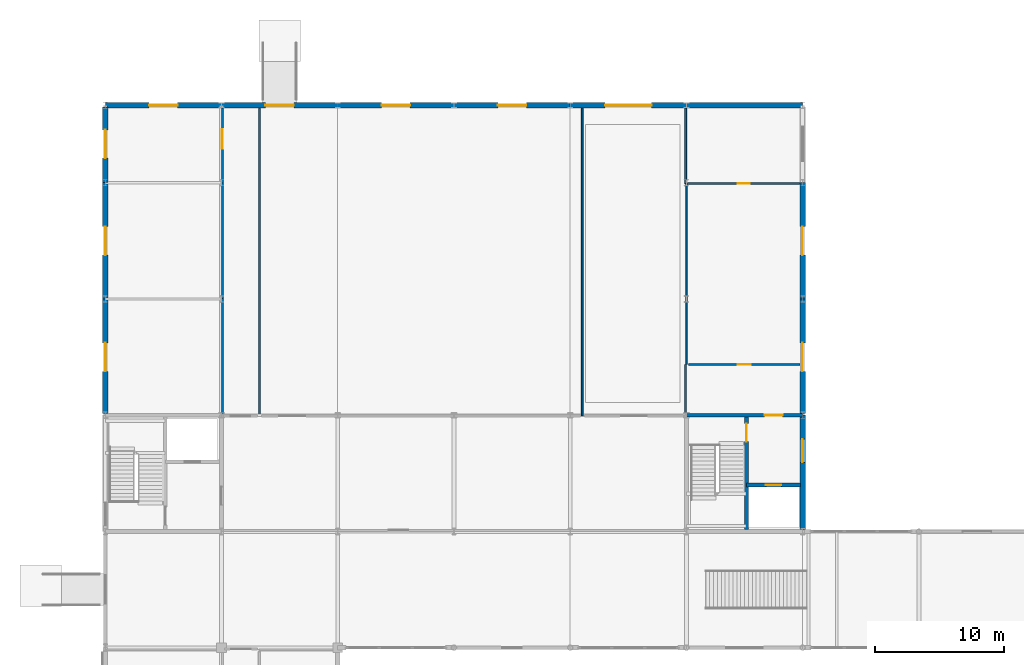
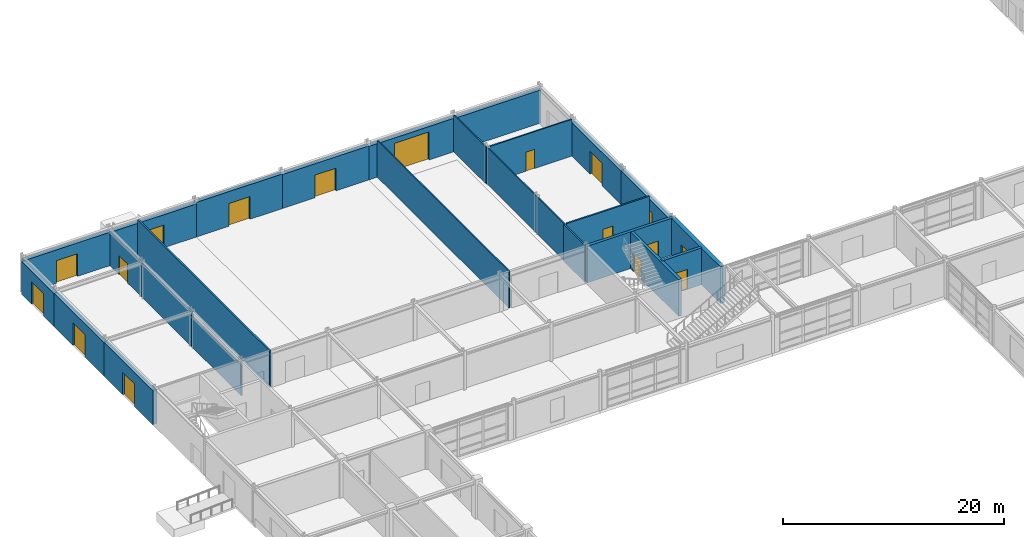
# One storey, part 62 of 72: 25 walls, 17 doors, 17 openings.
"""IFC4 building model written with IfcOpenShell, lengths in metres."""

import ifcopenshell
import ifcopenshell.guid

model = None  # the IFC model being written
_history = None  # IfcOwnerHistory: only IFC2X3 demands one
_inside = {}  # id of a spatial element -> (the spatial element, [elements in it])
_under = {}  # id of a project, library or spatial element -> (it, [spatial elements below it])
_declared = {}  # id of a project -> (the project, [libraries it declares])
_typed = {}  # id of a type object -> (the type object, [elements of that type])
_made_of = {}  # id of a material, layer set ... -> (it, [elements and type objects made of it])


def new_model(schema):
    """Start an empty IFC model of exactly this schema.

    Asked for "IFC4X3", IfcOpenShell would pick the latest addendum, in which some entities
    have other attributes; the version numbers below select the first issue.
    IFC2X3 requires an IfcOwnerHistory on every rooted entity: one is made here for all.
    """
    global model, _history
    if schema == "IFC4X3":
        model = ifcopenshell.file(schema_version=(4, 3, 0, 0))
    else:
        model = ifcopenshell.file(schema=schema)
    _inside.clear()
    _under.clear()
    _declared.clear()
    _typed.clear()
    _made_of.clear()
    _history = None
    if model.schema == "IFC2X3":
        org = make("IfcOrganization", Name="unknown")
        user = make(
            "IfcPersonAndOrganization",
            ThePerson=make("IfcPerson", FamilyName="unknown"),
            TheOrganization=org,
        )
        app = make(
            "IfcApplication",
            ApplicationDeveloper=org,
            Version="unknown",
            ApplicationFullName="unknown",
            ApplicationIdentifier="unknown",
        )
        _history = make(
            "IfcOwnerHistory",
            OwningUser=user,
            OwningApplication=app,
            ChangeAction="ADDED",
            CreationDate=0,
        )
    return model


def make(cls, **values):
    """One entity of the class cls with the attributes given. An attribute that is None is left unset."""
    return model.create_entity(
        cls, **{name: value for name, value in values.items() if value is not None}
    )


def rooted(cls, **values):
    """An entity with a GlobalId (a new one), such as an element, a storey or a relation."""
    return make(cls, GlobalId=ifcopenshell.guid.new(), OwnerHistory=_history, **values)


def si_unit(unit_type, name, prefix=None):
    """IfcSIUnit, for example si_unit("LENGTHUNIT", "METRE", prefix="MILLI")."""
    return make("IfcSIUnit", UnitType=unit_type, Prefix=prefix, Name=name)


def assignment(units):
    """IfcUnitAssignment: the units of a project."""
    return None if units is None else make("IfcUnitAssignment", Units=units)


def point(xyz):
    """IfcCartesianPoint."""
    return None if xyz is None else make("IfcCartesianPoint", Coordinates=xyz)


def direction(xyz):
    """IfcDirection."""
    return None if xyz is None else make("IfcDirection", DirectionRatios=xyz)


def frame(location, z_axis=None, x_axis=None):
    """IfcAxis2Placement3D, a coordinate frame: its origin and axes. An axis left out is left unset."""
    return make(
        "IfcAxis2Placement3D",
        Location=point(location),
        Axis=direction(z_axis),
        RefDirection=direction(x_axis),
    )


def frame_2d(location, x_axis=None):
    """IfcAxis2Placement2D, a coordinate frame in the plane: its origin and x axis."""
    return make(
        "IfcAxis2Placement2D", Location=point(location), RefDirection=direction(x_axis)
    )


def origin():
    """The frame at (0, 0, 0) with its axes left unset."""
    return frame((0.0, 0.0, 0.0))


def place(relative_to, where):
    """IfcLocalPlacement: puts the frame where relative to a parent placement (None: the world)."""
    return make(
        "IfcLocalPlacement", PlacementRelTo=relative_to, RelativePlacement=where
    )


def context(
    kind, dimensions, precision=None, world=None, true_north=None, identifier=None
):
    """IfcGeometricRepresentationContext, for example the 3D "Model" context."""
    return make(
        "IfcGeometricRepresentationContext",
        ContextIdentifier=identifier,
        ContextType=kind,
        CoordinateSpaceDimension=dimensions,
        Precision=precision,
        WorldCoordinateSystem=world,
        TrueNorth=true_north,
    )


def subcontext(parent, identifier, kind, view, scale=None):
    """IfcGeometricRepresentationSubContext, for example "Body" below "Model"."""
    return make(
        "IfcGeometricRepresentationSubContext",
        ContextIdentifier=identifier,
        ContextType=kind,
        ParentContext=parent,
        TargetScale=scale,
        TargetView=view,
    )


def project(units=None, contexts=None):
    """IfcProject with its units and contexts."""
    return rooted(
        "IfcProject",
        Name="project",
        RepresentationContexts=contexts,
        UnitsInContext=assignment(units),
    )


def spatial(cls, under=None, at=None, **own):
    """A site, building, storey or space (cls), placed at a placement, below another one or the project."""
    s = rooted(cls, ObjectPlacement=at, **own)
    if under is not None:
        _under.setdefault(under.id(), (under, []))[1].append(s)
    return s


def profile(cls, at=None, kind="AREA", **sizes):
    """A parametric profile (cls). Its sizes go by their IFC names, for example OverallWidth=200.0."""
    return make(cls, ProfileType=kind, Position=at, **sizes)


def rectangle(**sizes):
    """IfcRectangleProfileDef."""
    return profile("IfcRectangleProfileDef", **sizes)


def extrude(swept, where, along, depth):
    """IfcExtrudedAreaSolid: the profile swept, set in the frame where, extruded along a direction by depth."""
    return make(
        "IfcExtrudedAreaSolid",
        SweptArea=swept,
        Position=where,
        ExtrudedDirection=direction(along),
        Depth=depth,
    )


def shape(context_of_items, identifier, shape_type, items):
    """IfcShapeRepresentation: the items that make up one representation, for example the "Body"."""
    return make(
        "IfcShapeRepresentation",
        ContextOfItems=context_of_items,
        RepresentationIdentifier=identifier,
        RepresentationType=shape_type,
        Items=items,
    )


def material(Name=None, Category=None):
    """IfcMaterial."""
    return make("IfcMaterial", Name=Name, Category=Category)


def layer(
    of_material, thickness, ventilated=None, Name=None, Category=None, Priority=None
):
    """IfcMaterialLayer: one layer of a wall or slab, of a material (None: an air gap)."""
    return make(
        "IfcMaterialLayer",
        Material=of_material,
        LayerThickness=thickness,
        IsVentilated=ventilated,
        Name=Name,
        Category=Category,
        Priority=Priority,
    )


def layer_set(layers, Name=None):
    """IfcMaterialLayerSet."""
    return make("IfcMaterialLayerSet", MaterialLayers=layers, LayerSetName=Name)


def made_of(thing, what):
    """Note that an element or type object is made of a material, layer set ...; save() writes the relation."""
    if what is not None:
        _made_of.setdefault(what.id(), (what, []))[1].append(thing)
    return thing


def type_object(cls, material=None, **own):
    """A type object (cls), such as IfcWallType, which elements share."""
    return made_of(rooted(cls, **own), material)


def element(
    cls,
    number,
    at=None,
    inside=None,
    cuts=None,
    type_object=None,
    material=None,
    context=None,
    identifier="Body",
    shape_type=None,
    held_by="IfcProductDefinitionShape",
    body=None,
    shapes=None,
    **own,
):
    """One element of the class cls, such as IfcWall. Its Tag is "e" and its number.

    at: its placement. inside: the storey or other place that contains it. cuts: it is an
    opening in that element (IfcRelVoidsElement). A single representation is given by context,
    identifier, shape_type and body (its items); several are given by shapes. held_by: the class
    of the entity that holds the representations. save() writes the other relations.
    """
    e = rooted(cls, Tag="e%d" % number, ObjectPlacement=at, **own)
    if body is not None:
        shapes = [shape(context, identifier, shape_type, body)]
    if shapes is not None:
        e.Representation = make(held_by, Representations=shapes)
    if inside is not None:
        _inside.setdefault(inside.id(), (inside, []))[1].append(e)
    if cuts is not None:
        rooted(
            "IfcRelVoidsElement", RelatingBuildingElement=cuts, RelatedOpeningElement=e
        )
    if type_object is not None:
        _typed.setdefault(type_object.id(), (type_object, []))[1].append(e)
    return made_of(e, material)


def fill(opening, filler):
    """IfcRelFillsElement: the door or window that sits in an opening."""
    return rooted(
        "IfcRelFillsElement",
        RelatingOpeningElement=opening,
        RelatedBuildingElement=filler,
    )


def aggregate(whole, parts):
    """IfcRelAggregates: a whole, such as a stair, and the parts it consists of."""
    return rooted("IfcRelAggregates", RelatingObject=whole, RelatedObjects=parts)


def save(model, path):
    """Write the relations noted so far, then the file.

    IfcRelAggregates (storeys below a building ...), IfcRelContainedInSpatialStructure (elements
    in a storey), IfcRelDefinesByType, IfcRelAssociatesMaterial and IfcRelDeclares: one each for
    every whole, place, type object, material and project.
    """
    for whole, parts in _under.values():
        aggregate(whole, parts)
    for where, things in _inside.values():
        rooted(
            "IfcRelContainedInSpatialStructure",
            RelatedElements=things,
            RelatingStructure=where,
        )
    for kind, things in _typed.values():
        rooted("IfcRelDefinesByType", RelatedObjects=things, RelatingType=kind)
    for what, things in _made_of.values():
        rooted("IfcRelAssociatesMaterial", RelatedObjects=things, RelatingMaterial=what)
    for by, libraries in _declared.values():
        rooted("IfcRelDeclares", RelatingContext=by, RelatedDefinitions=libraries)
    model.write(path)


model = new_model("IFC4")

# Units and contexts
model_context = context("Model", 3, precision=1e-05, world=origin(), true_north=direction((0.0, 1.0)))
body_context = subcontext(model_context, "Body", "Model", "MODEL_VIEW")
ifc_project = project(units=[si_unit("LENGTHUNIT", "METRE"), si_unit("AREAUNIT", "SQUARE_METRE"), si_unit("VOLUMEUNIT", "CUBIC_METRE"), si_unit("PLANEANGLEUNIT", "RADIAN"), si_unit("MASSUNIT", "GRAM", prefix="KILO")], contexts=[model_context])

# Site, building, storey
site_placement = place(None, origin())
site = spatial("IfcSite", under=ifc_project, at=site_placement, CompositionType="ELEMENT")
building_placement = place(site_placement, origin())
building = spatial("IfcBuilding", under=site, at=building_placement, Name="Palais des Congres Ocreval", CompositionType="ELEMENT")
storey_placement = place(building_placement, origin())
storey = spatial("IfcBuildingStorey", under=building, at=storey_placement, Name="L00", CompositionType="ELEMENT", Elevation=0.0)

# Wall
ifc_material_1 = material(Name="Moisture-resistant gypsum board")
ifc_layer_1 = layer(ifc_material_1, 0.139892578125)
ifc_layer_set_1 = layer_set([ifc_layer_1], Name="Bathroom Plumbing Chase Wall 140 Gypsum (Moisture-resistant gypsum board)")
wall_type_1 = type_object("IfcWallType", Name="Bathroom Plumbing Chase Wall 140 Gypsum", PredefinedType="PLUMBINGWALL", material=ifc_layer_set_1)
wall_1_placement = place(storey_placement, frame((44.93505859375, 107.93994140625, 0.0), z_axis=(0.0, 0.0, 1.0), x_axis=(0.0, 1.0, 0.0)))
element("IfcWall", 1, at=wall_1_placement, inside=storey, type_object=wall_type_1, Name="Interior Partition PW03 L00", PredefinedType="PLUMBINGWALL", context=body_context, shape_type="SweptSolid", body=[
    extrude(rectangle(XDim=5.844970703125, YDim=0.139892578125, at=frame_2d((2.92236328125, 0.0))), origin(), (0.0, 0.0, 1.0), 4.054931640625),
])

# Wall, opening, door
wall_2_placement = place(storey_placement, frame((45.090087890625, 107.93505859375, 0.0), z_axis=(0.0, 0.0, 1.0), x_axis=(1.0, 0.0, 0.0)))
wall_2 = element("IfcWall", 2, at=wall_2_placement, inside=storey, type_object=wall_type_1, Name="Interior Partition PW03 L00", PredefinedType="PLUMBINGWALL", context=body_context, shape_type="SweptSolid", body=[
    extrude(rectangle(XDim=8.69482421875, YDim=0.139892578125, at=frame_2d((4.347412109375, 0.0))), origin(), (0.0, 0.0, 1.0), 4.054931640625),
])
opening_1_placement = place(wall_2_placement, frame((3.8974609375, 0.0, 0.0)))
opening_1 = element("IfcOpeningElement", 3, at=opening_1_placement, cuts=wall_2, Name="Opening D09", PredefinedType="OPENING", context=body_context, shape_type="SweptSolid", body=[
    extrude(rectangle(XDim=0.89990234375, YDim=2.10009765625, at=frame_2d((0.449951171875, 1.050048828125))), frame((0.0, 0.079833984375, 0.0), z_axis=(0.0, -1.0, 0.0), x_axis=(1.0, 0.0, 0.0)), (0.0, 0.0, 1.0), 0.159912109375),
])
ifc_material_2 = material(Name="Solid French oak", Category="wood")
door_type_1 = type_object("IfcDoorType", Name="Accessible Restroom Door 900x2100", OperationType="NOTDEFINED", PredefinedType="DOOR", material=ifc_material_2)
door_1_placement = place(opening_1_placement, origin())
door_1 = element("IfcDoor", 4, at=door_1_placement, inside=storey, type_object=door_type_1, Name="Interior Door D09 L00", OperationType="SINGLE_SWING_LEFT", OverallHeight=2.10009765625, OverallWidth=0.89990234375, PredefinedType="DOOR", context=body_context, shape_type="SweptSolid", body=[
    extrude(rectangle(XDim=0.89990234375, YDim=2.10009765625, at=frame_2d((0.449951171875, 1.050048828125))), frame((0.0, 0.02490234375, 0.0), z_axis=(0.0, -1.0, 0.0), x_axis=(1.0, 0.0, 0.0)), (0.0, 0.0, 1.0), 0.050048828125),
])
fill(opening_1, door_1)

ifc_material_3 = material(Name="Concrete C40/50", Category="concrete")
ifc_layer_2 = layer(ifc_material_3, 0.419921875)
ifc_layer_set_2 = layer_set([ifc_layer_2], Name="Congress Stone Facade Wall 420 Concrete C40/50")
wall_type_2 = type_object("IfcWallType", Name="Congress Stone Facade Wall 420 Concrete C40/50", PredefinedType="SOLIDWALL", material=ifc_layer_set_2)
wall_3_placement = place(storey_placement, frame((0.0, 90.1298828125, 0.0), z_axis=(0.0, 0.0, 1.0), x_axis=(0.0, 1.0, 0.0)))
wall_3 = element("IfcWall", 5, at=wall_3_placement, inside=storey, type_object=wall_type_2, Name="Exterior Wall EW02 L00", PredefinedType="SOLIDWALL", context=body_context, shape_type="SweptSolid", body=[
    extrude(rectangle(XDim=8.8701171875, YDim=0.419921875, at=frame_2d((4.43505859375, 0.0))), origin(), (0.0, 0.0, 1.0), 3.7548828125),
])
opening_2_placement = place(wall_3_placement, frame((3.27001953125, 0.0, 0.0)))
opening_2 = element("IfcOpeningElement", 6, at=opening_2_placement, cuts=wall_3, Name="Opening ED02", PredefinedType="OPENING", context=body_context, shape_type="SweptSolid", body=[
    extrude(rectangle(XDim=2.199951171875, YDim=2.5, at=frame_2d((1.10009765625, 1.25))), frame((0.0, 0.219970703125, 0.0), z_axis=(0.0, -1.0, 0.0), x_axis=(1.0, 0.0, 0.0)), (0.0, 0.0, 1.0), 0.43994140625),
])
ifc_material_4 = material(Name="Anodized bronze aluminium and safety glass", Category="aluminium")
door_type_2 = type_object("IfcDoorType", Name="Congress Grand Final Exit Door 2200x2500", OperationType="NOTDEFINED", PredefinedType="DOOR", material=ifc_material_4)
door_2_placement = place(opening_2_placement, origin())
door_2 = element("IfcDoor", 7, at=door_2_placement, inside=storey, type_object=door_type_2, Name="Pedestrian Final Exit Door E09", OperationType="DOUBLE_DOOR_SINGLE_SWING", OverallHeight=2.5, OverallWidth=2.199951171875, PredefinedType="DOOR", context=body_context, shape_type="SweptSolid", body=[
    extrude(rectangle(XDim=2.199951171875, YDim=2.5, at=frame_2d((1.10009765625, 1.25))), frame((0.0, 0.02490234375, 0.0), z_axis=(0.0, -1.0, 0.0), x_axis=(1.0, 0.0, 0.0)), (0.0, 0.0, 1.0), 0.050048828125),
])
fill(opening_2, door_2)

wall_4_placement = place(storey_placement, frame((0.0, 99.0, 0.0), z_axis=(0.0, 0.0, 1.0), x_axis=(0.0, 1.0, 0.0)))
wall_4 = element("IfcWall", 8, at=wall_4_placement, inside=storey, type_object=wall_type_2, Name="Exterior Wall EW02 L00", PredefinedType="SOLIDWALL", context=body_context, shape_type="SweptSolid", body=[
    extrude(rectangle(XDim=9.0, YDim=0.419921875, at=frame_2d((4.5, 0.0))), origin(), (0.0, 0.0, 1.0), 3.695068359375),
])
opening_3_placement = place(wall_4_placement, frame((3.39990234375, 0.0, 0.0)))
opening_3 = element("IfcOpeningElement", 9, at=opening_3_placement, cuts=wall_4, Name="Opening ED02", PredefinedType="OPENING", context=body_context, shape_type="SweptSolid", body=[
    extrude(rectangle(XDim=2.199951171875, YDim=2.5, at=frame_2d((1.10009765625, 1.25))), frame((0.0, 0.219970703125, 0.0), z_axis=(0.0, -1.0, 0.0), x_axis=(1.0, 0.0, 0.0)), (0.0, 0.0, 1.0), 0.43994140625),
])
door_3_placement = place(opening_3_placement, origin())
door_3 = element("IfcDoor", 10, at=door_3_placement, inside=storey, type_object=door_type_2, Name="Pedestrian Final Exit Door E10", OperationType="DOUBLE_DOOR_SINGLE_SWING", OverallHeight=2.5, OverallWidth=2.199951171875, PredefinedType="DOOR", context=body_context, shape_type="SweptSolid", body=[
    extrude(rectangle(XDim=2.199951171875, YDim=2.5, at=frame_2d((1.10009765625, 1.25))), frame((0.0, 0.02490234375, 0.0), z_axis=(0.0, -1.0, 0.0), x_axis=(1.0, 0.0, 0.0)), (0.0, 0.0, 1.0), 0.050048828125),
])
fill(opening_3, door_3)

wall_5_placement = place(storey_placement, frame((0.0, 108.0, 0.0), z_axis=(0.0, 0.0, 1.0), x_axis=(0.0, 1.0, 0.0)))
wall_5 = element("IfcWall", 11, at=wall_5_placement, inside=storey, type_object=wall_type_2, Name="Exterior Wall EW02 L00", PredefinedType="SOLIDWALL", context=body_context, shape_type="SweptSolid", body=[
    extrude(rectangle(XDim=5.844970703125, YDim=0.419921875, at=frame_2d((2.92236328125, 0.0))), origin(), (0.0, 0.0, 1.0), 3.655029296875),
])
opening_4_placement = place(wall_5_placement, frame((1.89990234375, 0.0, 0.0)))
opening_4 = element("IfcOpeningElement", 12, at=opening_4_placement, cuts=wall_5, Name="Opening ED02", PredefinedType="OPENING", context=body_context, shape_type="SweptSolid", body=[
    extrude(rectangle(XDim=2.199951171875, YDim=2.5, at=frame_2d((1.10009765625, 1.25))), frame((0.0, 0.219970703125, 0.0), z_axis=(0.0, -1.0, 0.0), x_axis=(1.0, 0.0, 0.0)), (0.0, 0.0, 1.0), 0.43994140625),
])
door_4_placement = place(opening_4_placement, origin())
door_4 = element("IfcDoor", 13, at=door_4_placement, inside=storey, type_object=door_type_2, Name="Pedestrian Final Exit Door E11", OperationType="DOUBLE_DOOR_SINGLE_SWING", OverallHeight=2.5, OverallWidth=2.199951171875, PredefinedType="DOOR", context=body_context, shape_type="SweptSolid", body=[
    extrude(rectangle(XDim=2.199951171875, YDim=2.5, at=frame_2d((1.10009765625, 1.25))), frame((0.0, 0.02490234375, 0.0), z_axis=(0.0, -1.0, 0.0), x_axis=(1.0, 0.0, 0.0)), (0.0, 0.0, 1.0), 0.050048828125),
])
fill(opening_4, door_4)

wall_6_placement = place(storey_placement, frame((0.0, 114.0, 0.0), z_axis=(0.0, 0.0, 1.0), x_axis=(1.0, 0.0, 0.0)))
wall_6 = element("IfcWall", 14, at=wall_6_placement, inside=storey, type_object=wall_type_2, Name="Exterior Wall EW02 L00", PredefinedType="SOLIDWALL", context=body_context, shape_type="SweptSolid", body=[
    extrude(rectangle(XDim=9.0, YDim=0.419921875, at=frame_2d((4.5, 0.0))), origin(), (0.0, 0.0, 1.0), 3.695068359375),
])
opening_5_placement = place(wall_6_placement, frame((3.39990234375, 0.0, 0.0)))
opening_5 = element("IfcOpeningElement", 15, at=opening_5_placement, cuts=wall_6, Name="Opening ED02", PredefinedType="OPENING", context=body_context, shape_type="SweptSolid", body=[
    extrude(rectangle(XDim=2.199951171875, YDim=2.5, at=frame_2d((1.10009765625, 1.25))), frame((0.0, 0.219970703125, 0.0), z_axis=(0.0, -1.0, 0.0), x_axis=(1.0, 0.0, 0.0)), (0.0, 0.0, 1.0), 0.43994140625),
])
door_5_placement = place(opening_5_placement, origin())
door_5 = element("IfcDoor", 16, at=door_5_placement, inside=storey, type_object=door_type_2, Name="Pedestrian Final Exit Door E12", OperationType="DOUBLE_DOOR_SINGLE_SWING", OverallHeight=2.5, OverallWidth=2.199951171875, PredefinedType="DOOR", context=body_context, shape_type="SweptSolid", body=[
    extrude(rectangle(XDim=2.199951171875, YDim=2.5, at=frame_2d((1.10009765625, 1.25))), frame((0.0, 0.02490234375, 0.0), z_axis=(0.0, -1.0, 0.0), x_axis=(1.0, 0.0, 0.0)), (0.0, 0.0, 1.0), 0.050048828125),
])
fill(opening_5, door_5)

wall_7_placement = place(storey_placement, frame((9.0, 114.0, 0.0), z_axis=(0.0, 0.0, 1.0), x_axis=(1.0, 0.0, 0.0)))
wall_7 = element("IfcWall", 17, at=wall_7_placement, inside=storey, type_object=wall_type_2, Name="Exterior Wall EW02 L00", PredefinedType="SOLIDWALL", context=body_context, shape_type="SweptSolid", body=[
    extrude(rectangle(XDim=9.0, YDim=0.419921875, at=frame_2d((4.5, 0.0))), origin(), (0.0, 0.0, 1.0), 3.655029296875),
])
opening_6_placement = place(wall_7_placement, frame((3.39990234375, 0.0, 0.0)))
opening_6 = element("IfcOpeningElement", 18, at=opening_6_placement, cuts=wall_7, Name="Opening ED02", PredefinedType="OPENING", context=body_context, shape_type="SweptSolid", body=[
    extrude(rectangle(XDim=2.199951171875, YDim=2.5, at=frame_2d((1.10009765625, 1.25))), frame((0.0, 0.219970703125, 0.0), z_axis=(0.0, -1.0, 0.0), x_axis=(1.0, 0.0, 0.0)), (0.0, 0.0, 1.0), 0.43994140625),
])
door_6_placement = place(opening_6_placement, origin())
door_6 = element("IfcDoor", 19, at=door_6_placement, inside=storey, type_object=door_type_2, Name="Pedestrian Final Exit Door E13", OperationType="DOUBLE_DOOR_SINGLE_SWING", OverallHeight=2.5, OverallWidth=2.199951171875, PredefinedType="DOOR", context=body_context, shape_type="SweptSolid", body=[
    extrude(rectangle(XDim=2.199951171875, YDim=2.5, at=frame_2d((1.10009765625, 1.25))), frame((0.0, 0.02490234375, 0.0), z_axis=(0.0, -1.0, 0.0), x_axis=(1.0, 0.0, 0.0)), (0.0, 0.0, 1.0), 0.050048828125),
])
fill(opening_6, door_6)

wall_8_placement = place(storey_placement, frame((18.0, 114.0, 0.0), z_axis=(0.0, 0.0, 1.0), x_axis=(1.0, 0.0, 0.0)))
wall_8 = element("IfcWall", 20, at=wall_8_placement, inside=storey, type_object=wall_type_2, Name="Exterior Wall EW02 L00", PredefinedType="SOLIDWALL", context=body_context, shape_type="SweptSolid", body=[
    extrude(rectangle(XDim=9.0, YDim=0.419921875, at=frame_2d((4.5, 0.0))), origin(), (0.0, 0.0, 1.0), 3.824951171875),
])
opening_7_placement = place(wall_8_placement, frame((3.39990234375, 0.0, 0.0)))
opening_7 = element("IfcOpeningElement", 21, at=opening_7_placement, cuts=wall_8, Name="Opening ED02", PredefinedType="OPENING", context=body_context, shape_type="SweptSolid", body=[
    extrude(rectangle(XDim=2.199951171875, YDim=2.5, at=frame_2d((1.10009765625, 1.25))), frame((0.0, 0.219970703125, 0.0), z_axis=(0.0, -1.0, 0.0), x_axis=(1.0, 0.0, 0.0)), (0.0, 0.0, 1.0), 0.43994140625),
])
door_7_placement = place(opening_7_placement, origin())
door_7 = element("IfcDoor", 22, at=door_7_placement, inside=storey, type_object=door_type_2, Name="Pedestrian Final Exit Door E14", OperationType="DOUBLE_DOOR_SINGLE_SWING", OverallHeight=2.5, OverallWidth=2.199951171875, PredefinedType="DOOR", context=body_context, shape_type="SweptSolid", body=[
    extrude(rectangle(XDim=2.199951171875, YDim=2.5, at=frame_2d((1.10009765625, 1.25))), frame((0.0, 0.02490234375, 0.0), z_axis=(0.0, -1.0, 0.0), x_axis=(1.0, 0.0, 0.0)), (0.0, 0.0, 1.0), 0.050048828125),
])
fill(opening_7, door_7)

wall_9_placement = place(storey_placement, frame((27.0, 114.0, 0.0), z_axis=(0.0, 0.0, 1.0), x_axis=(1.0, 0.0, 0.0)))
wall_9 = element("IfcWall", 23, at=wall_9_placement, inside=storey, type_object=wall_type_2, Name="Exterior Wall EW02 L00", PredefinedType="SOLIDWALL", context=body_context, shape_type="SweptSolid", body=[
    extrude(rectangle(XDim=9.0, YDim=0.419921875, at=frame_2d((4.5, 0.0))), origin(), (0.0, 0.0, 1.0), 3.7548828125),
])
opening_8_placement = place(wall_9_placement, frame((3.39990234375, 0.0, 0.0)))
opening_8 = element("IfcOpeningElement", 24, at=opening_8_placement, cuts=wall_9, Name="Opening ED02", PredefinedType="OPENING", context=body_context, shape_type="SweptSolid", body=[
    extrude(rectangle(XDim=2.199951171875, YDim=2.5, at=frame_2d((1.10009765625, 1.25))), frame((0.0, 0.219970703125, 0.0), z_axis=(0.0, -1.0, 0.0), x_axis=(1.0, 0.0, 0.0)), (0.0, 0.0, 1.0), 0.43994140625),
])
door_8_placement = place(opening_8_placement, origin())
door_8 = element("IfcDoor", 25, at=door_8_placement, inside=storey, type_object=door_type_2, Name="Pedestrian Final Exit Door E15", OperationType="DOUBLE_DOOR_SINGLE_SWING", OverallHeight=2.5, OverallWidth=2.199951171875, PredefinedType="DOOR", context=body_context, shape_type="SweptSolid", body=[
    extrude(rectangle(XDim=2.199951171875, YDim=2.5, at=frame_2d((1.10009765625, 1.25))), frame((0.0, 0.02490234375, 0.0), z_axis=(0.0, -1.0, 0.0), x_axis=(1.0, 0.0, 0.0)), (0.0, 0.0, 1.0), 0.050048828125),
])
fill(opening_8, door_8)

wall_10_placement = place(storey_placement, frame((36.0, 114.0, 0.0), z_axis=(0.0, 0.0, 1.0), x_axis=(1.0, 0.0, 0.0)))
wall_10 = element("IfcWall", 26, at=wall_10_placement, inside=storey, type_object=wall_type_2, Name="Exterior Wall EW02 L00", PredefinedType="SOLIDWALL", context=body_context, shape_type="SweptSolid", body=[
    extrude(rectangle(XDim=9.0, YDim=0.419921875, at=frame_2d((4.5, 0.0))), origin(), (0.0, 0.0, 1.0), 3.695068359375),
])
opening_9_placement = place(wall_10_placement, frame((2.699951171875, 0.0, 0.0)))
opening_9 = element("IfcOpeningElement", 27, at=opening_9_placement, cuts=wall_10, Name="Opening VG03", PredefinedType="OPENING", context=body_context, shape_type="SweptSolid", body=[
    extrude(rectangle(XDim=3.60009765625, YDim=3.10009765625, at=frame_2d((1.800048828125, 1.550048828125))), frame((0.0, 0.219970703125, 0.0), z_axis=(0.0, -1.0, 0.0), x_axis=(1.0, 0.0, 0.0)), (0.0, 0.0, 1.0), 0.43994140625),
])
ifc_material_5 = material(Name="Galvanized painted steel", Category="steel")
door_type_3 = type_object("IfcDoorType", Name="Loading Dock Shutter Gate 3600x3100", OperationType="NOTDEFINED", PredefinedType="GATE", material=ifc_material_5)
door_9_placement = place(opening_9_placement, origin())
door_9 = element("IfcDoor", 28, at=door_9_placement, inside=storey, type_object=door_type_3, Name="Stage Scenery Loading Shutter Gate VG03", OperationType="ROLLINGUP", OverallHeight=3.10009765625, OverallWidth=3.60009765625, PredefinedType="GATE", context=body_context, shape_type="SweptSolid", body=[
    extrude(rectangle(XDim=3.60009765625, YDim=3.10009765625, at=frame_2d((1.800048828125, 1.550048828125))), frame((0.0, 0.02490234375, 0.0), z_axis=(0.0, -1.0, 0.0), x_axis=(1.0, 0.0, 0.0)), (0.0, 0.0, 1.0), 0.050048828125),
])
fill(opening_9, door_9)

# Wall
wall_11_placement = place(storey_placement, frame((45.0, 114.0, 0.0), z_axis=(0.0, 0.0, 1.0), x_axis=(1.0, 0.0, 0.0)))
element("IfcWall", 29, at=wall_11_placement, inside=storey, type_object=wall_type_2, Name="Exterior Wall EW02 L00", PredefinedType="SOLIDWALL", context=body_context, shape_type="SweptSolid", body=[
    extrude(rectangle(XDim=9.0, YDim=0.419921875, at=frame_2d((4.5, 0.0))), origin(), (0.0, 0.0, 1.0), 3.655029296875),
])

# Wall, opening, door
wall_12_placement = place(storey_placement, frame((54.0, 108.0, 0.0), z_axis=(0.0, 0.0, 1.0), x_axis=(0.0, -1.0, 0.0)))
wall_12 = element("IfcWall", 30, at=wall_12_placement, inside=storey, type_object=wall_type_2, Name="Exterior Wall EW02 L00", PredefinedType="SOLIDWALL", context=body_context, shape_type="SweptSolid", body=[
    extrude(rectangle(XDim=9.0, YDim=0.419921875, at=frame_2d((4.5, 0.0))), origin(), (0.0, 0.0, 1.0), 3.695068359375),
])
opening_10_placement = place(wall_12_placement, frame((3.39990234375, 0.0, 0.0)))
opening_10 = element("IfcOpeningElement", 31, at=opening_10_placement, cuts=wall_12, Name="Opening ED02", PredefinedType="OPENING", context=body_context, shape_type="SweptSolid", body=[
    extrude(rectangle(XDim=2.199951171875, YDim=2.5, at=frame_2d((1.10009765625, 1.25))), frame((0.0, 0.219970703125, 0.0), z_axis=(0.0, -1.0, 0.0), x_axis=(1.0, 0.0, 0.0)), (0.0, 0.0, 1.0), 0.43994140625),
])
door_10_placement = place(opening_10_placement, origin())
door_10 = element("IfcDoor", 32, at=door_10_placement, inside=storey, type_object=door_type_2, Name="Pedestrian Final Exit Door E16", OperationType="DOUBLE_DOOR_SINGLE_SWING", OverallHeight=2.5, OverallWidth=2.199951171875, PredefinedType="DOOR", context=body_context, shape_type="SweptSolid", body=[
    extrude(rectangle(XDim=2.199951171875, YDim=2.5, at=frame_2d((1.10009765625, 1.25))), frame((0.0, 0.02490234375, 0.0), z_axis=(0.0, -1.0, 0.0), x_axis=(1.0, 0.0, 0.0)), (0.0, 0.0, 1.0), 0.050048828125),
])
fill(opening_10, door_10)

wall_13_placement = place(storey_placement, frame((54.0, 99.0, 0.0), z_axis=(0.0, 0.0, 1.0), x_axis=(0.0, -1.0, 0.0)))
wall_13 = element("IfcWall", 33, at=wall_13_placement, inside=storey, type_object=wall_type_2, Name="Exterior Wall EW02 L00", PredefinedType="SOLIDWALL", context=body_context, shape_type="SweptSolid", body=[
    extrude(rectangle(XDim=8.8701171875, YDim=0.419921875, at=frame_2d((4.43505859375, 0.0))), origin(), (0.0, 0.0, 1.0), 3.7548828125),
])
opening_11_placement = place(wall_13_placement, frame((3.39990234375, 0.0, 0.0)))
opening_11 = element("IfcOpeningElement", 34, at=opening_11_placement, cuts=wall_13, Name="Opening ED02", PredefinedType="OPENING", context=body_context, shape_type="SweptSolid", body=[
    extrude(rectangle(XDim=2.199951171875, YDim=2.5, at=frame_2d((1.10009765625, 1.25))), frame((0.0, 0.219970703125, 0.0), z_axis=(0.0, -1.0, 0.0), x_axis=(1.0, 0.0, 0.0)), (0.0, 0.0, 1.0), 0.43994140625),
])
door_11_placement = place(opening_11_placement, origin())
door_11 = element("IfcDoor", 35, at=door_11_placement, inside=storey, type_object=door_type_2, Name="Pedestrian Final Exit Door E17", OperationType="DOUBLE_DOOR_SINGLE_SWING", OverallHeight=2.5, OverallWidth=2.199951171875, PredefinedType="DOOR", context=body_context, shape_type="SweptSolid", body=[
    extrude(rectangle(XDim=2.199951171875, YDim=2.5, at=frame_2d((1.10009765625, 1.25))), frame((0.0, 0.02490234375, 0.0), z_axis=(0.0, -1.0, 0.0), x_axis=(1.0, 0.0, 0.0)), (0.0, 0.0, 1.0), 0.050048828125),
])
fill(opening_11, door_11)

wall_14_placement = place(storey_placement, frame((54.0, 90.0, 0.0), z_axis=(0.0, 0.0, 1.0), x_axis=(0.0, -1.0, 0.0)))
wall_14 = element("IfcWall", 36, at=wall_14_placement, inside=storey, type_object=wall_type_2, Name="Core Perimeter Shear Wall EW02 SC06 L00", PredefinedType="SOLIDWALL", context=body_context, shape_type="SweptSolid", body=[
    extrude(rectangle(XDim=9.0, YDim=0.419921875, at=frame_2d((4.5, 0.0))), origin(), (0.0, 0.0, 1.0), 4.054931640625),
])
opening_12_placement = place(wall_14_placement, frame((1.85009765625, 0.0, 0.0)))
opening_12 = element("IfcOpeningElement", 37, at=opening_12_placement, cuts=wall_14, Name="Opening ED04", PredefinedType="OPENING", context=body_context, shape_type="SweptSolid", body=[
    extrude(rectangle(XDim=1.800048828125, YDim=2.199951171875, at=frame_2d((0.89990234375, 1.10009765625))), frame((0.0, 0.219970703125, 0.0), z_axis=(0.0, -1.0, 0.0), x_axis=(1.0, 0.0, 0.0)), (0.0, 0.0, 1.0), 0.43994140625),
])
door_type_4 = type_object("IfcDoorType", Name="Stair Street Discharge Door 1800x2200", OperationType="NOTDEFINED", PredefinedType="DOOR", material=ifc_material_4)
door_12_placement = place(opening_12_placement, origin())
door_12 = element("IfcDoor", 38, at=door_12_placement, inside=storey, type_object=door_type_4, Name="Stair Lobby Final Exit Discharge Door ST06", OperationType="DOUBLE_DOOR_SINGLE_SWING", OverallHeight=2.199951171875, OverallWidth=1.800048828125, PredefinedType="DOOR", context=body_context, shape_type="SweptSolid", body=[
    extrude(rectangle(XDim=1.800048828125, YDim=2.199951171875, at=frame_2d((0.89990234375, 1.10009765625))), frame((0.0, 0.02490234375, 0.0), z_axis=(0.0, -1.0, 0.0), x_axis=(1.0, 0.0, 0.0)), (0.0, 0.0, 1.0), 0.050048828125),
])
fill(opening_12, door_12)

ifc_layer_3 = layer(ifc_material_3, 0.300048828125)
ifc_layer_set_3 = layer_set([ifc_layer_3], Name="Core Shear Wall 300 Concrete C40/50")
wall_type_3 = type_object("IfcWallType", Name="Core Shear Wall 300 Concrete C40/50", PredefinedType="SHEAR", material=ifc_layer_set_3)
wall_15_placement = place(storey_placement, frame((45.0, 90.0, 0.0), z_axis=(0.0, 0.0, 1.0), x_axis=(1.0, 0.0, 0.0)))
wall_15 = element("IfcWall", 39, at=wall_15_placement, inside=storey, type_object=wall_type_3, Name="Core Shear Wall SC06 L00 N", PredefinedType="SHEAR", context=body_context, shape_type="SweptSolid", body=[
    extrude(rectangle(XDim=9.0, YDim=0.300048828125, at=frame_2d((4.5, 0.0))), origin(), (0.0, 0.0, 1.0), 4.054931640625),
])
opening_13_placement = place(wall_15_placement, frame((6.050048828125, 0.0, 0.0)))
opening_13 = element("IfcOpeningElement", 40, at=opening_13_placement, cuts=wall_15, Name="Opening D03", PredefinedType="OPENING", context=body_context, shape_type="SweptSolid", body=[
    extrude(rectangle(XDim=1.39990234375, YDim=2.02001953125, at=frame_2d((0.699951171875, 1.010009765625))), frame((0.0, 0.159912109375, 0.0), z_axis=(0.0, -1.0, 0.0), x_axis=(1.0, 0.0, 0.0)), (0.0, 0.0, 1.0), 0.320068359375),
])
ifc_material_6 = material(Name="Painted fire-rated steel", Category="steel")
door_type_5 = type_object("IfcDoorType", Name="Core Lobby Rated Door 1400x2020", OperationType="NOTDEFINED", PredefinedType="DOOR", material=ifc_material_6)
door_13_placement = place(opening_13_placement, origin())
door_13 = element("IfcDoor", 41, at=door_13_placement, inside=storey, type_object=door_type_5, Name="Lobby Entrance Door SC06 L00", OperationType="DOUBLE_DOOR_SINGLE_SWING", OverallHeight=2.02001953125, OverallWidth=1.39990234375, PredefinedType="DOOR", context=body_context, shape_type="SweptSolid", body=[
    extrude(rectangle(XDim=1.39990234375, YDim=2.02001953125, at=frame_2d((0.699951171875, 1.010009765625))), frame((0.0, 0.02490234375, 0.0), z_axis=(0.0, -1.0, 0.0), x_axis=(1.0, 0.0, 0.0)), (0.0, 0.0, 1.0), 0.050048828125),
])
fill(opening_13, door_13)

wall_16_placement = place(storey_placement, frame((49.64990234375, 81.14990234375, 0.0), z_axis=(0.0, 0.0, 1.0), x_axis=(0.0, 1.0, 0.0)))
wall_16 = element("IfcWall", 42, at=wall_16_placement, inside=storey, type_object=wall_type_3, Name="Core Spine Shear Wall SC06 L00", PredefinedType="SHEAR", context=body_context, shape_type="SweptSolid", body=[
    extrude(rectangle(XDim=8.7001953125, YDim=0.300048828125, at=frame_2d((4.35009765625, 0.0))), origin(), (0.0, 0.0, 1.0), 4.054931640625),
])
opening_14_placement = place(wall_16_placement, frame((6.800048828125, 0.0, 0.0)))
opening_14 = element("IfcOpeningElement", 43, at=opening_14_placement, cuts=wall_16, Name="Opening D03", PredefinedType="OPENING", context=body_context, shape_type="SweptSolid", body=[
    extrude(rectangle(XDim=1.39990234375, YDim=2.02001953125, at=frame_2d((0.699951171875, 1.010009765625))), frame((0.0, 0.159912109375, 0.0), z_axis=(0.0, -1.0, 0.0), x_axis=(1.0, 0.0, 0.0)), (0.0, 0.0, 1.0), 0.320068359375),
])
door_14_placement = place(opening_14_placement, origin())
door_14 = element("IfcDoor", 44, at=door_14_placement, inside=storey, type_object=door_type_5, Name="Protected Exit Stair Door ST06 L00", OperationType="SINGLE_SWING_RIGHT", OverallHeight=2.02001953125, OverallWidth=1.39990234375, PredefinedType="DOOR", context=body_context, shape_type="SweptSolid", body=[
    extrude(rectangle(XDim=1.39990234375, YDim=2.02001953125, at=frame_2d((0.699951171875, 1.010009765625))), frame((0.0, 0.02490234375, 0.0), z_axis=(0.0, -1.0, 0.0), x_axis=(1.0, 0.0, 0.0)), (0.0, 0.0, 1.0), 0.050048828125),
])
fill(opening_14, door_14)

wall_17_placement = place(storey_placement, frame((49.64990234375, 84.60009765625, 0.0), z_axis=(0.0, 0.0, 1.0), x_axis=(1.0, 0.0, 0.0)))
wall_17 = element("IfcWall", 45, at=wall_17_placement, inside=storey, type_object=wall_type_3, Name="Lift Shaft Front Wall SC06 L00", PredefinedType="SHEAR", context=body_context, shape_type="SweptSolid", body=[
    extrude(rectangle(XDim=4.2001953125, YDim=0.300048828125, at=frame_2d((2.10009765625, 0.0))), origin(), (0.0, 0.0, 1.0), 4.054931640625),
])
opening_15_placement = place(wall_17_placement, frame((1.5, 0.0, 0.0)))
opening_15 = element("IfcOpeningElement", 46, at=opening_15_placement, cuts=wall_17, Name="Opening LD02", PredefinedType="OPENING", context=body_context, shape_type="SweptSolid", body=[
    extrude(rectangle(XDim=1.199951171875, YDim=2.199951171875, at=frame_2d((0.60009765625, 1.10009765625))), frame((0.0, 0.159912109375, 0.0), z_axis=(0.0, -1.0, 0.0), x_axis=(1.0, 0.0, 0.0)), (0.0, 0.0, 1.0), 0.320068359375),
])
ifc_material_7 = material(Name="Anodized bronze steel", Category="steel")
door_type_6 = type_object("IfcDoorType", Name="Passenger and Service Lift Sliding Door 1200x2200", OperationType="NOTDEFINED", PredefinedType="DOOR", material=ifc_material_7)
door_15_placement = place(opening_15_placement, origin())
door_15 = element("IfcDoor", 47, at=door_15_placement, inside=storey, type_object=door_type_6, Name="Lift Landing Sliding Door BL2 L00", OperationType="DOUBLE_DOOR_SLIDING", OverallHeight=2.199951171875, OverallWidth=1.199951171875, PredefinedType="DOOR", context=body_context, shape_type="SweptSolid", body=[
    extrude(rectangle(XDim=1.199951171875, YDim=2.199951171875, at=frame_2d((0.60009765625, 1.10009765625))), frame((0.0, 0.02490234375, 0.0), z_axis=(0.0, -1.0, 0.0), x_axis=(1.0, 0.0, 0.0)), (0.0, 0.0, 1.0), 0.050048828125),
])
fill(opening_15, door_15)

# Walls
ifc_material_8 = material(Name="Gypsum acoustic partition")
ifc_layer_4 = layer(ifc_material_8, 0.159912109375)
ifc_layer_set_4 = layer_set([ifc_layer_4], Name="Corridor Fire Partition 160 Gypsum (Gypsum acoustic partition)")
wall_type_4 = type_object("IfcWallType", Name="Corridor Fire Partition 160 Gypsum", PredefinedType="PARTITIONING", material=ifc_layer_set_4)
wall_18_placement = place(storey_placement, frame((11.93505859375, 89.93994140625, 0.0), z_axis=(0.0, 0.0, 1.0), x_axis=(0.0, 1.0, 0.0)))
element("IfcWall", 48, at=wall_18_placement, inside=storey, type_object=wall_type_4, Name="Interior Partition IW03 L00", PredefinedType="PARTITIONING", context=body_context, shape_type="SweptSolid", body=[
    extrude(rectangle(XDim=23.844970703125, YDim=0.159912109375, at=frame_2d((11.92236328125, 0.0))), origin(), (0.0, 0.0, 1.0), 4.054931640625),
])
wall_19_placement = place(storey_placement, frame((44.93505859375, 90.155029296875, 0.0), z_axis=(0.0, 0.0, 1.0), x_axis=(0.0, 1.0, 0.0)))
element("IfcWall", 49, at=wall_19_placement, inside=storey, type_object=wall_type_4, Name="Interior Partition IW03 L00", PredefinedType="PARTITIONING", context=body_context, shape_type="SweptSolid", body=[
    extrude(rectangle(XDim=3.77490234375, YDim=0.159912109375, at=frame_2d((1.887451171875, 0.0))), origin(), (0.0, 0.0, 1.0), 4.054931640625),
])
wall_20_placement = place(storey_placement, frame((9.06494140625, 90.080078125, 0.0), z_axis=(0.0, 0.0, 1.0), x_axis=(0.0, 1.0, 0.0)))
element("IfcWall", 50, at=wall_20_placement, inside=storey, type_object=wall_type_4, Name="Interior Partition IW03 L00", PredefinedType="PARTITIONING", context=body_context, shape_type="SweptSolid", body=[
    extrude(rectangle(XDim=8.93994140625, YDim=0.159912109375, at=frame_2d((4.469970703125, 0.0))), origin(), (0.0, 0.0, 1.0), 3.364990234375),
])

# Wall, opening, door
wall_21_placement = place(storey_placement, frame((45.155029296875, 93.93505859375, 0.0), z_axis=(0.0, 0.0, 1.0), x_axis=(1.0, 0.0, 0.0)))
wall_21 = element("IfcWall", 51, at=wall_21_placement, inside=storey, type_object=wall_type_4, Name="Interior Partition IW03 L00", PredefinedType="PARTITIONING", context=body_context, shape_type="SweptSolid", body=[
    extrude(rectangle(XDim=8.6298828125, YDim=0.159912109375, at=frame_2d((4.31494140625, 0.0))), origin(), (0.0, 0.0, 1.0), 4.054931640625),
])
opening_16_placement = place(wall_21_placement, frame((3.81494140625, 0.0, 0.0)))
opening_16 = element("IfcOpeningElement", 52, at=opening_16_placement, cuts=wall_21, Name="Opening D10", PredefinedType="OPENING", context=body_context, shape_type="SweptSolid", body=[
    extrude(rectangle(XDim=1.0, YDim=2.10009765625, at=frame_2d((0.5, 1.050048828125))), frame((0.0, 0.08984375, 0.0), z_axis=(0.0, -1.0, 0.0), x_axis=(1.0, 0.0, 0.0)), (0.0, 0.0, 1.0), 0.179931640625),
])
ifc_material_9 = material(Name="Painted steel", Category="steel")
door_type_7 = type_object("IfcDoorType", Name="Service and Pantry Door 1000x2100", OperationType="NOTDEFINED", PredefinedType="DOOR", material=ifc_material_9)
door_16_placement = place(opening_16_placement, origin())
door_16 = element("IfcDoor", 53, at=door_16_placement, inside=storey, type_object=door_type_7, Name="Interior Door D10 L00", OperationType="SINGLE_SWING_RIGHT", OverallHeight=2.10009765625, OverallWidth=1.0, PredefinedType="DOOR", context=body_context, shape_type="SweptSolid", body=[
    extrude(rectangle(XDim=1.0, YDim=2.10009765625, at=frame_2d((0.5, 1.050048828125))), frame((0.0, 0.02490234375, 0.0), z_axis=(0.0, -1.0, 0.0), x_axis=(1.0, 0.0, 0.0)), (0.0, 0.0, 1.0), 0.050048828125),
])
fill(opening_16, door_16)

# Wall
wall_22_placement = place(storey_placement, frame((9.06494140625, 99.02001953125, 0.0), z_axis=(0.0, 0.0, 1.0), x_axis=(0.0, 1.0, 0.0)))
element("IfcWall", 54, at=wall_22_placement, inside=storey, type_object=wall_type_4, Name="Interior Partition IW03 L00", PredefinedType="PARTITIONING", context=body_context, shape_type="SweptSolid", body=[
    extrude(rectangle(XDim=8.9599609375, YDim=0.159912109375, at=frame_2d((4.47998046875, 0.0))), origin(), (0.0, 0.0, 1.0), 3.764892578125),
])

# Wall, opening, door
wall_23_placement = place(storey_placement, frame((9.06494140625, 107.97998046875, 0.0), z_axis=(0.0, 0.0, 1.0), x_axis=(0.0, 1.0, 0.0)))
wall_23 = element("IfcWall", 55, at=wall_23_placement, inside=storey, type_object=wall_type_4, Name="Interior Partition IW03 L00", PredefinedType="PARTITIONING", context=body_context, shape_type="SweptSolid", body=[
    extrude(rectangle(XDim=5.804931640625, YDim=0.159912109375, at=frame_2d((2.90234375, 0.0))), origin(), (0.0, 0.0, 1.0), 3.72509765625),
])
opening_17_placement = place(wall_23_placement, frame((2.655029296875, 0.0, 0.0)))
opening_17 = element("IfcOpeningElement", 56, at=opening_17_placement, cuts=wall_23, Name="Opening D04", PredefinedType="OPENING", context=body_context, shape_type="SweptSolid", body=[
    extrude(rectangle(XDim=1.5, YDim=2.10009765625, at=frame_2d((0.75, 1.050048828125))), frame((0.0, 0.08984375, 0.0), z_axis=(0.0, -1.0, 0.0), x_axis=(1.0, 0.0, 0.0)), (0.0, 0.0, 1.0), 0.179931640625),
])
ifc_material_10 = material(Name="Solid French oak fire door", Category="wood")
door_type_8 = type_object("IfcDoorType", Name="Corridor Compartment Double Door 1500x2100", OperationType="NOTDEFINED", PredefinedType="DOOR", material=ifc_material_10)
door_17_placement = place(opening_17_placement, origin())
door_17 = element("IfcDoor", 57, at=door_17_placement, inside=storey, type_object=door_type_8, Name="Interior Door D04 L00", OperationType="DOUBLE_DOOR_SINGLE_SWING", OverallHeight=2.10009765625, OverallWidth=1.5, PredefinedType="DOOR", context=body_context, shape_type="SweptSolid", body=[
    extrude(rectangle(XDim=1.5, YDim=2.10009765625, at=frame_2d((0.75, 1.050048828125))), frame((0.0, 0.02490234375, 0.0), z_axis=(0.0, -1.0, 0.0), x_axis=(1.0, 0.0, 0.0)), (0.0, 0.0, 1.0), 0.050048828125),
])
fill(opening_17, door_17)

# Walls
ifc_material_11 = material(Name="Gypsum board partition")
ifc_layer_5 = layer(ifc_material_11, 0.1201171875)
ifc_layer_set_5 = layer_set([ifc_layer_5], Name="Suite Subdivision Partition 120 Gypsum (Gypsum board partition)")
wall_type_5 = type_object("IfcWallType", Name="Suite Subdivision Partition 120 Gypsum", PredefinedType="PARTITIONING", material=ifc_layer_set_5)
wall_24_placement = place(storey_placement, frame((36.93505859375, 89.93994140625, 0.0), z_axis=(0.0, 0.0, 1.0), x_axis=(0.0, 1.0, 0.0)))
element("IfcWall", 58, at=wall_24_placement, inside=storey, type_object=wall_type_5, Name="Interior Partition IW04 L00", PredefinedType="PARTITIONING", context=body_context, shape_type="SweptSolid", body=[
    extrude(rectangle(XDim=23.844970703125, YDim=0.1201171875, at=frame_2d((11.92236328125, 0.0))), origin(), (0.0, 0.0, 1.0), 4.054931640625),
])
wall_25_placement = place(storey_placement, frame((45.0, 93.93994140625, 0.0), z_axis=(0.0, 0.0, 1.0), x_axis=(0.0, 1.0, 0.0)))
element("IfcWall", 59, at=wall_25_placement, inside=storey, type_object=wall_type_5, Name="Interior Partition IW04 L00", PredefinedType="PARTITIONING", context=body_context, shape_type="SweptSolid", body=[
    extrude(rectangle(XDim=13.989990234375, YDim=0.1201171875, at=frame_2d((6.9951171875, 0.0))), origin(), (0.0, 0.0, 1.0), 4.054931640625),
])

save(model, "model.ifc")
